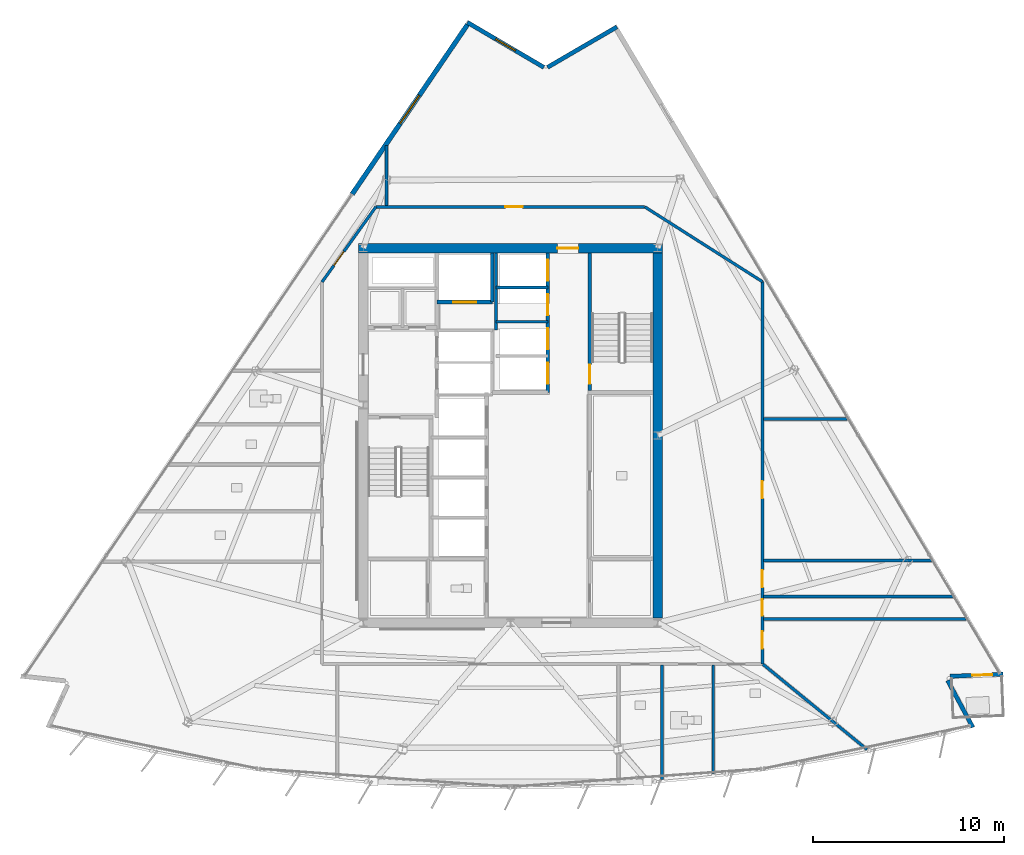
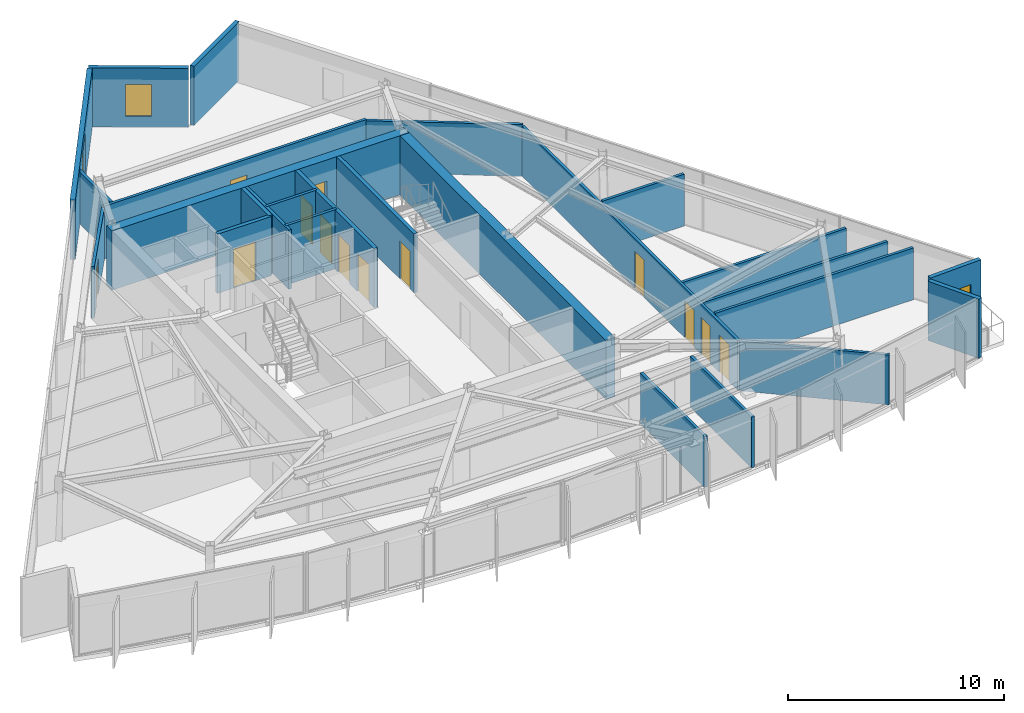
# One storey, part 9 of 15: 26 walls, 14 doors, 2 windows, 16 openings.
"""IFC4 building model written with IfcOpenShell, lengths in metres."""

from ifc_helpers import new_model, si_unit, direction, frame, frame_2d, origin, place, context, subcontext, project, spatial, rectangle, extrude, material, layer, layer_set, type_object, element, fill, save


model = new_model("IFC4")

# Units and contexts
model_context = context("Model", 3, precision=1e-05, world=origin(), true_north=direction((0.0, 1.0)))
body_context = subcontext(model_context, "Body", "Model", "MODEL_VIEW")
ifc_project = project(units=[si_unit("LENGTHUNIT", "METRE"), si_unit("AREAUNIT", "SQUARE_METRE"), si_unit("VOLUMEUNIT", "CUBIC_METRE"), si_unit("PLANEANGLEUNIT", "RADIAN"), si_unit("MASSUNIT", "GRAM", prefix="KILO")], contexts=[model_context])

# Site, building, storey
site_placement = place(None, origin())
site = spatial("IfcSite", under=ifc_project, at=site_placement, CompositionType="ELEMENT")
building_placement = place(site_placement, origin())
building = spatial("IfcBuilding", under=site, at=building_placement, Name="Savorim Split Tower", CompositionType="ELEMENT")
storey_placement = place(building_placement, frame((0.0, 0.0, 201.89990234375)))
storey = spatial("IfcBuildingStorey", under=building, at=storey_placement, Name="L53", CompositionType="ELEMENT", Elevation=201.89990234375)

# Wall, opening, door
ifc_material_1 = material(Name="Concrete C60/75", Category="concrete")
ifc_layer_1 = layer(ifc_material_1, 0.5)
ifc_layer_set_1 = layer_set([ifc_layer_1], Name="WAL-COR-SH500")
wall_type_1 = type_object("IfcWallType", Name="WAL-COR-SH500", PredefinedType="SHEAR", material=ifc_layer_set_1)
wall_1_placement = place(storey_placement, frame((7.949951171875, 10.199951171875, 0.0), z_axis=(0.0, 0.0, 1.0), x_axis=(-1.0, 0.0, 0.0)))
wall_1 = element("IfcWall", 1, at=wall_1_placement, inside=storey, type_object=wall_type_1, Name="L53 Offset Core North Shear Wall", PredefinedType="SHEAR", context=body_context, shape_type="SweptSolid", body=[
    extrude(rectangle(XDim=15.89990234375, YDim=0.5, at=frame_2d((7.949951171875, 0.0))), origin(), (0.0, 0.0, 1.0), 3.35009765625),
])
opening_1_placement = place(wall_1_placement, frame((4.39990234375, 0.0, 0.0)))
opening_1 = element("IfcOpeningElement", 2, at=opening_1_placement, cuts=wall_1, Name="Opening DI-03", PredefinedType="OPENING", context=body_context, shape_type="SweptSolid", body=[
    extrude(rectangle(XDim=1.10009765625, YDim=2.14990234375, at=frame_2d((0.550048828125, 1.074951171875))), frame((0.0, 0.260009765625, 0.0), z_axis=(0.0, -1.0, 0.0), x_axis=(1.0, 0.0, 0.0)), (0.0, 0.0, 1.0), 0.52001953125),
])
ifc_material_2 = material(Name="Timber Fire Door Leaf", Category="wood")
door_type_1 = type_object("IfcDoorType", Name="DOR-FIR-1100", OperationType="NOTDEFINED", PredefinedType="DOOR", material=ifc_material_2)
door_1_placement = place(opening_1_placement, origin())
door_1 = element("IfcDoor", 3, at=door_1_placement, inside=storey, type_object=door_type_1, Name="DOR-L53-COR-NLOB - L53 North Corridor Lobby Fire Door", OperationType="SINGLE_SWING_RIGHT", OverallHeight=2.14990234375, OverallWidth=1.10009765625, PredefinedType="DOOR", context=body_context, shape_type="SweptSolid", body=[
    extrude(rectangle(XDim=1.10009765625, YDim=2.14990234375, at=frame_2d((0.550048828125, 1.074951171875))), frame((0.0, 0.02490234375, 0.0), z_axis=(0.0, -1.0, 0.0), x_axis=(1.0, 0.0, 0.0)), (0.0, 0.0, 1.0), 0.050048828125),
])
fill(opening_1, door_1)

# Walls
wall_2_placement = place(storey_placement, frame((7.699951171875, 9.949951171875, 0.0), z_axis=(0.0, 0.0, 1.0), x_axis=(0.0, -1.0, 0.0)))
element("IfcWall", 4, at=wall_2_placement, inside=storey, type_object=wall_type_1, Name="L53 Offset Core East Shear Wall", PredefinedType="SHEAR", context=body_context, shape_type="SweptSolid", body=[
    extrude(rectangle(XDim=19.099853515625, YDim=0.5, at=frame_2d((9.5498046875, 0.0))), origin(), (0.0, 0.0, 1.0), 3.35009765625),
])
ifc_material_3 = material(Name="Precast concrete C40/50", Category="concrete")
ifc_layer_2 = layer(ifc_material_3, 0.219970703125)
ifc_layer_set_2 = layer_set([ifc_layer_2], Name="WAL-EXT-CRN220")
wall_type_2 = type_object("IfcWallType", Name="WAL-EXT-CRN220", PredefinedType="SOLIDWALL", material=ifc_layer_set_2)
wall_3_placement = place(storey_placement, frame((22.86767578125, -12.414794921875, 0.0), z_axis=(0.0, 0.0, 1.0), x_axis=(0.472845900162, -0.881145138272, 0.0)))
element("IfcWall", 5, at=wall_3_placement, inside=storey, type_object=wall_type_2, Name="L53 Notched Corner Facade Wall SE1", PredefinedType="SOLIDWALL", context=body_context, shape_type="SweptSolid", body=[
    extrude(rectangle(XDim=2.78759765625, YDim=0.219970703125, at=frame_2d((1.393798828125, 0.0))), origin(), (0.0, 0.0, 1.0), 3.35009765625),
])

# Wall, opening, door
wall_4_placement = place(storey_placement, frame((25.77197265625, -12.082763671875, 0.0), z_axis=(0.0, 0.0, 1.0), x_axis=(-0.999095761456, -0.042516578425, 0.0)))
wall_4 = element("IfcWall", 6, at=wall_4_placement, inside=storey, type_object=wall_type_2, Name="L53 Notched Corner Facade Wall SE", PredefinedType="SOLIDWALL", context=body_context, shape_type="SweptSolid", body=[
    extrude(rectangle(XDim=2.784912109375, YDim=0.219970703125, at=frame_2d((1.392578125, 0.0))), origin(), (0.0, 0.0, 1.0), 3.35009765625),
])
opening_2_placement = place(wall_4_placement, frame((0.5673828125, 0.0, 0.0)))
opening_2 = element("IfcOpeningElement", 7, at=opening_2_placement, cuts=wall_4, Name="Opening DB-01", PredefinedType="OPENING", context=body_context, shape_type="SweptSolid", body=[
    extrude(rectangle(XDim=1.050048828125, YDim=2.14990234375, at=frame_2d((0.52490234375, 1.074951171875))), frame((0.0, 0.119873046875, 0.0), z_axis=(0.0, -1.0, 0.0), x_axis=(1.0, 0.0, 0.0)), (0.0, 0.0, 1.0), 0.239990234375),
])
ifc_material_4 = material(Name="Charcoal Anodised Aluminium", Category="aluminium")
door_type_2 = type_object("IfcDoorType", Name="DOR-BAL-1050", OperationType="NOTDEFINED", PredefinedType="DOOR", material=ifc_material_4)
door_2_placement = place(opening_2_placement, origin())
door_2 = element("IfcDoor", 8, at=door_2_placement, inside=storey, type_object=door_type_2, Name="DOR-L53-TBAL-SE - L53 Planted Tree Balcony Door SE", OperationType="SINGLE_SWING_RIGHT", OverallHeight=2.14990234375, OverallWidth=1.050048828125, PredefinedType="DOOR", context=body_context, shape_type="SweptSolid", body=[
    extrude(rectangle(XDim=1.050048828125, YDim=2.14990234375, at=frame_2d((0.52490234375, 1.074951171875))), frame((0.0, 0.02490234375, 0.0), z_axis=(0.0, -1.0, 0.0), x_axis=(1.0, 0.0, 0.0)), (0.0, 0.0, 1.0), 0.050048828125),
])
fill(opening_2, door_2)

# Wall
wall_5_placement = place(storey_placement, frame((1.935302734375, 19.656494140625, 0.0), z_axis=(0.0, 0.0, 1.0), x_axis=(0.863987356641, 0.503513502862, 0.0)))
element("IfcWall", 9, at=wall_5_placement, inside=storey, type_object=wall_type_2, Name="L53 Notched Corner Facade Wall NE1", PredefinedType="SOLIDWALL", context=body_context, shape_type="SweptSolid", body=[
    extrude(rectangle(XDim=4.203857421875, YDim=0.219970703125, at=frame_2d((2.10205078125, 0.0))), origin(), (0.0, 0.0, 1.0), 3.35009765625),
])

# Wall, opening, window
wall_6_placement = place(storey_placement, frame((-2.25927734375, 22.01025390625, 0.0), z_axis=(0.0, 0.0, 1.0), x_axis=(0.862123324624, -0.506698503193, 0.0)))
wall_6 = element("IfcWall", 10, at=wall_6_placement, inside=storey, type_object=wall_type_2, Name="L53 Notched Corner Facade Wall N", PredefinedType="SOLIDWALL", context=body_context, shape_type="SweptSolid", body=[
    extrude(rectangle(XDim=4.644775390625, YDim=0.219970703125, at=frame_2d((2.322265625, 0.0))), origin(), (0.0, 0.0, 1.0), 3.35009765625),
])
opening_3_placement = place(wall_6_placement, frame((1.722412109375, 0.0, 0.6201171875)))
opening_3 = element("IfcOpeningElement", 11, at=opening_3_placement, cuts=wall_6, Name="Opening WN-08", PredefinedType="OPENING", context=body_context, shape_type="SweptSolid", body=[
    extrude(rectangle(XDim=1.199951171875, YDim=1.800048828125, at=frame_2d((0.60009765625, 0.89990234375))), frame((0.0, 0.119873046875, 0.0), z_axis=(0.0, -1.0, 0.0), x_axis=(1.0, 0.0, 0.0)), (0.0, 0.0, 1.0), 0.239990234375),
])
ifc_material_5 = material(Name="Low-E Operable Double Glazing", Category="glass")
window_type_1 = type_object("IfcWindowType", Name="WIN-TWR-1200x1800", PartitioningType="SINGLE_PANEL", PredefinedType="WINDOW", material=ifc_material_5)
window_1_placement = place(opening_3_placement, origin())
window_1 = element("IfcWindow", 12, at=window_1_placement, inside=storey, type_object=window_type_1, Name="L53 Operable Corner Window N", OverallHeight=1.800048828125, OverallWidth=1.199951171875, PartitioningType="SINGLE_PANEL", PredefinedType="WINDOW", context=body_context, shape_type="SweptSolid", body=[
    extrude(rectangle(XDim=1.199951171875, YDim=1.800048828125, at=frame_2d((0.60009765625, 0.89990234375))), frame((0.0, 0.030029296875, 0.0), z_axis=(0.0, -1.0, 0.0), x_axis=(1.0, 0.0, 0.0)), (0.0, 0.0, 1.0), 0.06005859375),
])
fill(opening_3, window_1)

ifc_layer_3 = layer(ifc_material_3, 0.25)
ifc_layer_set_3 = layer_set([ifc_layer_3], Name="WAL-EXT-SPN250")
wall_type_3 = type_object("IfcWallType", Name="WAL-EXT-SPN250", PredefinedType="SOLIDWALL", material=ifc_layer_set_3)
wall_7_placement = place(storey_placement, frame((-8.28369140625, 13.02587890625, 0.0), z_axis=(0.0, 0.0, 1.0), x_axis=(0.562468945091, 0.826818411629, 0.0)))
wall_7 = element("IfcWall", 13, at=wall_7_placement, inside=storey, type_object=wall_type_3, Name="L53 West Operable Window Pier", PredefinedType="SOLIDWALL", context=body_context, shape_type="SweptSolid", body=[
    extrude(rectangle(XDim=10.714111328125, YDim=0.25, at=frame_2d((5.35693359375, 0.0))), origin(), (0.0, 0.0, 1.0), 3.35009765625),
])
opening_4_placement = place(wall_7_placement, frame((4.45703125, 0.0, 0.6201171875)))
opening_4 = element("IfcOpeningElement", 14, at=opening_4_placement, cuts=wall_7, Name="Opening WN-04", PredefinedType="OPENING", context=body_context, shape_type="SweptSolid", body=[
    extrude(rectangle(XDim=1.800048828125, YDim=2.10009765625, at=frame_2d((0.89990234375, 1.050048828125))), frame((0.0, 0.135009765625, 0.0), z_axis=(0.0, -1.0, 0.0), x_axis=(1.0, 0.0, 0.0)), (0.0, 0.0, 1.0), 0.27001953125),
])
window_type_2 = type_object("IfcWindowType", Name="WIN-TWR-1800x2100", PartitioningType="DOUBLE_PANEL_VERTICAL", PredefinedType="WINDOW", material=ifc_material_5)
window_2_placement = place(opening_4_placement, origin())
window_2 = element("IfcWindow", 15, at=window_2_placement, inside=storey, type_object=window_type_2, Name="L53 West Operable Ventilation Window", OverallHeight=2.10009765625, OverallWidth=1.800048828125, PartitioningType="SINGLE_PANEL", PredefinedType="WINDOW", context=body_context, shape_type="SweptSolid", body=[
    extrude(rectangle(XDim=1.800048828125, YDim=2.10009765625, at=frame_2d((0.89990234375, 1.050048828125))), frame((0.0, 0.030029296875, 0.0), z_axis=(0.0, -1.0, 0.0), x_axis=(1.0, 0.0, 0.0)), (0.0, 0.0, 1.0), 0.06005859375),
])
fill(opening_4, window_2)

# Wall, opening, door
ifc_material_6 = material(Name="Concrete C50/60", Category="concrete")
ifc_layer_4 = layer(ifc_material_6, 0.199951171875)
ifc_layer_set_4 = layer_set([ifc_layer_4], Name="WAL-INT-RC200")
wall_type_4 = type_object("IfcWallType", Name="WAL-INT-RC200", PredefinedType="SOLIDWALL", material=ifc_layer_set_4)
wall_8_placement = place(storey_placement, frame((4.14990234375, 2.75, 0.0), z_axis=(0.0, 0.0, 1.0), x_axis=(0.0, 1.0, 0.0)))
wall_8 = element("IfcWall", 16, at=wall_8_placement, inside=storey, type_object=wall_type_4, Name="L53 Structural Shaft Wall W-L53-CR07", PredefinedType="SOLIDWALL", context=body_context, shape_type="SweptSolid", body=[
    extrude(rectangle(XDim=7.199951171875, YDim=0.199951171875, at=frame_2d((3.60009765625, 0.0))), origin(), (0.0, 0.0, 1.0), 3.35009765625),
])
opening_5_placement = place(wall_8_placement, frame((0.35009765625, 0.0, 0.0)))
opening_5 = element("IfcOpeningElement", 17, at=opening_5_placement, cuts=wall_8, Name="Opening DI-04", PredefinedType="OPENING", context=body_context, shape_type="SweptSolid", body=[
    extrude(rectangle(XDim=1.0, YDim=2.14990234375, at=frame_2d((0.5, 1.074951171875))), frame((0.0, 0.10986328125, 0.0), z_axis=(0.0, -1.0, 0.0), x_axis=(1.0, 0.0, 0.0)), (0.0, 0.0, 1.0), 0.219970703125),
])
door_type_3 = type_object("IfcDoorType", Name="DOR-FIR-1000", OperationType="NOTDEFINED", PredefinedType="DOOR", material=ifc_material_2)
door_3_placement = place(opening_5_placement, origin())
door_3 = element("IfcDoor", 18, at=door_3_placement, inside=storey, type_object=door_type_3, Name="DR-L53-ST2 - L53 Stair ST-2 Enclosure Door", OperationType="SINGLE_SWING_RIGHT", OverallHeight=2.14990234375, OverallWidth=1.0, PredefinedType="DOOR", context=body_context, shape_type="SweptSolid", body=[
    extrude(rectangle(XDim=1.0, YDim=2.14990234375, at=frame_2d((0.5, 1.074951171875))), frame((0.0, 0.02490234375, 0.0), z_axis=(0.0, -1.0, 0.0), x_axis=(1.0, 0.0, 0.0)), (0.0, 0.0, 1.0), 0.050048828125),
])
fill(opening_5, door_3)

wall_9_placement = place(storey_placement, frame((-3.85009765625, 7.3798828125, 0.0), z_axis=(0.0, 0.0, 1.0), x_axis=(1.0, 0.0, 0.0)))
wall_9 = element("IfcWall", 19, at=wall_9_placement, inside=storey, type_object=wall_type_4, Name="L53 Partition W-L53-SVLS", PredefinedType="SOLIDWALL", context=body_context, shape_type="SweptSolid", body=[
    extrude(rectangle(XDim=2.900146484375, YDim=0.199951171875, at=frame_2d((1.4501953125, 0.0))), origin(), (0.0, 0.0, 1.0), 3.35009765625),
])
opening_6_placement = place(wall_9_placement, frame((0.85009765625, 0.0, 0.0)))
opening_6 = element("IfcOpeningElement", 20, at=opening_6_placement, cuts=wall_9, Name="Opening LD-SV", PredefinedType="OPENING", context=body_context, shape_type="SweptSolid", body=[
    extrude(rectangle(XDim=1.199951171875, YDim=2.199951171875, at=frame_2d((0.60009765625, 1.10009765625))), frame((0.0, 0.10986328125, 0.0), z_axis=(0.0, -1.0, 0.0), x_axis=(1.0, 0.0, 0.0)), (0.0, 0.0, 1.0), 0.219970703125),
])
door_type_4 = type_object("IfcDoorType", Name="DOR-SLD-SV1200", OperationType="NOTDEFINED", PredefinedType="DOOR", material=ifc_material_4)
door_4_placement = place(opening_6_placement, origin())
door_4 = element("IfcDoor", 21, at=door_4_placement, inside=storey, type_object=door_type_4, Name="DR-L53-LD-SVL1 - L53 Service Lift SVL-1 Sliding Landing Door", OperationType="DOUBLE_DOOR_SLIDING", OverallHeight=2.199951171875, OverallWidth=1.199951171875, PredefinedType="DOOR", context=body_context, shape_type="SweptSolid", body=[
    extrude(rectangle(XDim=1.199951171875, YDim=2.199951171875, at=frame_2d((0.60009765625, 1.10009765625))), frame((0.0, 0.02490234375, 0.0), z_axis=(0.0, -1.0, 0.0), x_axis=(1.0, 0.0, 0.0)), (0.0, 0.0, 1.0), 0.050048828125),
])
fill(opening_6, door_4)

# Wall
wall_10_placement = place(storey_placement, frame((-0.949951171875, 7.3798828125, 0.0), z_axis=(0.0, 0.0, 1.0), x_axis=(0.0, 1.0, 0.0)))
element("IfcWall", 22, at=wall_10_placement, inside=storey, type_object=wall_type_4, Name="L53 Partition W-L53-SVLE", PredefinedType="SOLIDWALL", context=body_context, shape_type="SweptSolid", body=[
    extrude(rectangle(XDim=2.565185546875, YDim=0.199951171875, at=frame_2d((1.28271484375, 0.0))), origin(), (0.0, 0.0, 1.0), 3.35009765625),
])

# Wall, openings, doors
wall_11_placement = place(storey_placement, frame((1.949951171875, 2.64990234375, 0.0), z_axis=(0.0, 0.0, 1.0), x_axis=(0.0, 1.0, 0.0)))
wall_11 = element("IfcWall", 23, at=wall_11_placement, inside=storey, type_object=wall_type_4, Name="L53 Partition W-L53-B3FRONT", PredefinedType="SOLIDWALL", context=body_context, shape_type="SweptSolid", body=[
    extrude(rectangle(XDim=7.295166015625, YDim=0.199951171875, at=frame_2d((3.6474609375, 0.0))), origin(), (0.0, 0.0, 1.0), 3.35009765625),
])
opening_7_placement = place(wall_11_placement, frame((0.449951171875, 0.0, 0.0)))
opening_7 = element("IfcOpeningElement", 24, at=opening_7_placement, cuts=wall_11, Name="Opening LD-03", PredefinedType="OPENING", context=body_context, shape_type="SweptSolid", body=[
    extrude(rectangle(XDim=1.10009765625, YDim=2.14990234375, at=frame_2d((0.550048828125, 1.074951171875))), frame((0.0, 0.10986328125, 0.0), z_axis=(0.0, -1.0, 0.0), x_axis=(1.0, 0.0, 0.0)), (0.0, 0.0, 1.0), 0.219970703125),
])
opening_8_placement = place(wall_11_placement, frame((2.25, 0.0, 0.0)))
opening_8 = element("IfcOpeningElement", 25, at=opening_8_placement, cuts=wall_11, Name="Opening LD-03", PredefinedType="OPENING", context=body_context, shape_type="SweptSolid", body=[
    extrude(rectangle(XDim=1.10009765625, YDim=2.14990234375, at=frame_2d((0.550048828125, 1.074951171875))), frame((0.0, 0.10986328125, 0.0), z_axis=(0.0, -1.0, 0.0), x_axis=(1.0, 0.0, 0.0)), (0.0, 0.0, 1.0), 0.219970703125),
])
opening_9_placement = place(wall_11_placement, frame((4.050048828125, 0.0, 0.0)))
opening_9 = element("IfcOpeningElement", 26, at=opening_9_placement, cuts=wall_11, Name="Opening LD-03", PredefinedType="OPENING", context=body_context, shape_type="SweptSolid", body=[
    extrude(rectangle(XDim=1.10009765625, YDim=2.14990234375, at=frame_2d((0.550048828125, 1.074951171875))), frame((0.0, 0.10986328125, 0.0), z_axis=(0.0, -1.0, 0.0), x_axis=(1.0, 0.0, 0.0)), (0.0, 0.0, 1.0), 0.219970703125),
])
opening_10_placement = place(wall_11_placement, frame((5.85009765625, 0.0, 0.0)))
opening_10 = element("IfcOpeningElement", 27, at=opening_10_placement, cuts=wall_11, Name="Opening LD-03", PredefinedType="OPENING", context=body_context, shape_type="SweptSolid", body=[
    extrude(rectangle(XDim=1.10009765625, YDim=2.14990234375, at=frame_2d((0.550048828125, 1.074951171875))), frame((0.0, 0.10986328125, 0.0), z_axis=(0.0, -1.0, 0.0), x_axis=(1.0, 0.0, 0.0)), (0.0, 0.0, 1.0), 0.219970703125),
])
door_type_5 = type_object("IfcDoorType", Name="DOR-SLD-LDH1100", OperationType="NOTDEFINED", PredefinedType="DOOR", material=ifc_material_4)
door_5_placement = place(opening_7_placement, origin())
door_5 = element("IfcDoor", 28, at=door_5_placement, inside=storey, type_object=door_type_5, Name="DR-L53-LD-PLH1 - L53 Lift PL-H1 Sliding Landing Door", OperationType="DOUBLE_DOOR_SLIDING", OverallHeight=2.14990234375, OverallWidth=1.10009765625, PredefinedType="DOOR", context=body_context, shape_type="SweptSolid", body=[
    extrude(rectangle(XDim=1.10009765625, YDim=2.14990234375, at=frame_2d((0.550048828125, 1.074951171875))), frame((0.0, 0.02490234375, 0.0), z_axis=(0.0, -1.0, 0.0), x_axis=(1.0, 0.0, 0.0)), (0.0, 0.0, 1.0), 0.050048828125),
])
fill(opening_7, door_5)
door_6_placement = place(opening_8_placement, origin())
door_6 = element("IfcDoor", 29, at=door_6_placement, inside=storey, type_object=door_type_5, Name="DR-L53-LD-PLH2 - L53 Lift PL-H2 Sliding Landing Door", OperationType="DOUBLE_DOOR_SLIDING", OverallHeight=2.14990234375, OverallWidth=1.10009765625, PredefinedType="DOOR", context=body_context, shape_type="SweptSolid", body=[
    extrude(rectangle(XDim=1.10009765625, YDim=2.14990234375, at=frame_2d((0.550048828125, 1.074951171875))), frame((0.0, 0.02490234375, 0.0), z_axis=(0.0, -1.0, 0.0), x_axis=(1.0, 0.0, 0.0)), (0.0, 0.0, 1.0), 0.050048828125),
])
fill(opening_8, door_6)
door_7_placement = place(opening_9_placement, origin())
door_7 = element("IfcDoor", 30, at=door_7_placement, inside=storey, type_object=door_type_5, Name="DR-L53-LD-PLH3 - L53 Lift PL-H3 Sliding Landing Door", OperationType="DOUBLE_DOOR_SLIDING", OverallHeight=2.14990234375, OverallWidth=1.10009765625, PredefinedType="DOOR", context=body_context, shape_type="SweptSolid", body=[
    extrude(rectangle(XDim=1.10009765625, YDim=2.14990234375, at=frame_2d((0.550048828125, 1.074951171875))), frame((0.0, 0.02490234375, 0.0), z_axis=(0.0, -1.0, 0.0), x_axis=(1.0, 0.0, 0.0)), (0.0, 0.0, 1.0), 0.050048828125),
])
fill(opening_9, door_7)
door_8_placement = place(opening_10_placement, origin())
door_8 = element("IfcDoor", 31, at=door_8_placement, inside=storey, type_object=door_type_5, Name="DR-L53-LD-PLH4 - L53 Lift PL-H4 Sliding Landing Door", OperationType="DOUBLE_DOOR_SLIDING", OverallHeight=2.14990234375, OverallWidth=1.10009765625, PredefinedType="DOOR", context=body_context, shape_type="SweptSolid", body=[
    extrude(rectangle(XDim=1.10009765625, YDim=2.14990234375, at=frame_2d((0.550048828125, 1.074951171875))), frame((0.0, 0.02490234375, 0.0), z_axis=(0.0, -1.0, 0.0), x_axis=(1.0, 0.0, 0.0)), (0.0, 0.0, 1.0), 0.050048828125),
])
fill(opening_10, door_8)

# Walls
ifc_material_7 = material(Name="Acoustic Gypsum Partition Board")
ifc_layer_5 = layer(ifc_material_7, 0.14990234375)
ifc_layer_set_5 = layer_set([ifc_layer_5], Name="WAL-PAR-150")
wall_type_5 = type_object("IfcWallType", Name="WAL-PAR-150", PredefinedType="PARTITIONING", material=ifc_layer_set_5)
wall_12_placement = place(storey_placement, frame((-0.75, 5.919921875, 0.0), z_axis=(0.0, 0.0, 1.0), x_axis=(0.0, 1.0, 0.0)))
element("IfcWall", 32, at=wall_12_placement, inside=storey, type_object=wall_type_5, Name="L53 Partition W-L53-B3WEST", PredefinedType="PARTITIONING", context=body_context, shape_type="SweptSolid", body=[
    extrude(rectangle(XDim=4.025146484375, YDim=0.14990234375, at=frame_2d((2.0126953125, 0.0))), origin(), (0.0, 0.0, 1.0), 3.35009765625),
])
for number, where, z_axis, x_axis, name in (
    (33, (-0.75, 6.35009765625, 0.0), (0.0, 0.0, 1.0), (1.0, 0.0, 0.0), "L53 Partition W-L53-B3DIV2"),
    (34, (-0.75, 8.14990234375, 0.0), (0.0, 0.0, 1.0), (1.0, 0.0, 0.0), "L53 Partition W-L53-B3DIV3"),
):
    element("IfcWall", number, at=place(storey_placement, frame(where, z_axis=z_axis, x_axis=x_axis)), inside=storey, type_object=wall_type_5, Name=name, PredefinedType="PARTITIONING", context=body_context, shape_type="SweptSolid", body=[
        extrude(rectangle(XDim=2.699951171875, YDim=0.14990234375, at=frame_2d((1.35009765625, 0.0))), origin(), (0.0, 0.0, 1.0), 3.35009765625),
    ])

# Wall, opening, door
wall_13_placement = place(storey_placement, frame((-9.860107421875, 8.42578125, 0.0), z_axis=(0.0, 0.0, 1.0), x_axis=(0.582449511476, 0.812866881218, 0.0)))
wall_13 = element("IfcWall", 35, at=wall_13_placement, inside=storey, type_object=wall_type_5, Name="L53 Partition W-L53-COR-02", PredefinedType="PARTITIONING", context=body_context, shape_type="SweptSolid", body=[
    extrude(rectangle(XDim=4.840087890625, YDim=0.14990234375, at=frame_2d((2.419921875, 0.0))), origin(), (0.0, 0.0, 1.0), 2.93505859375),
])
opening_11_placement = place(wall_13_placement, frame((1.070068359375, 0.0, 0.0)))
opening_11 = element("IfcOpeningElement", 36, at=opening_11_placement, cuts=wall_13, Name="Opening DI-06", PredefinedType="OPENING", context=body_context, shape_type="SweptSolid", body=[
    extrude(rectangle(XDim=0.89990234375, YDim=2.10009765625, at=frame_2d((0.449951171875, 1.050048828125))), frame((0.0, 0.0849609375, 0.0), z_axis=(0.0, -1.0, 0.0), x_axis=(1.0, 0.0, 0.0)), (0.0, 0.0, 1.0), 0.169921875),
])
door_type_6 = type_object("IfcDoorType", Name="DOR-FIR-900", OperationType="NOTDEFINED", PredefinedType="DOOR", material=ifc_material_2)
door_9_placement = place(opening_11_placement, origin())
door_9 = element("IfcDoor", 37, at=door_9_placement, inside=storey, type_object=door_type_6, Name="DR-L53-RM14 - L53 Co-Living Bedroom Entry Door", OperationType="SINGLE_SWING_LEFT", OverallHeight=2.10009765625, OverallWidth=0.89990234375, PredefinedType="DOOR", context=body_context, shape_type="SweptSolid", body=[
    extrude(rectangle(XDim=0.89990234375, YDim=2.10009765625, at=frame_2d((0.449951171875, 1.050048828125))), frame((0.0, 0.02490234375, 0.0), z_axis=(0.0, -1.0, 0.0), x_axis=(1.0, 0.0, 0.0)), (0.0, 0.0, 1.0), 0.050048828125),
])
fill(opening_11, door_9)

wall_14_placement = place(storey_placement, frame((-7.041015625, 12.360107421875, 0.0), z_axis=(0.0, 0.0, 1.0), x_axis=(1.0, 0.0, 0.0)))
wall_14 = element("IfcWall", 38, at=wall_14_placement, inside=storey, type_object=wall_type_5, Name="L53 Partition W-L53-COR-03", PredefinedType="PARTITIONING", context=body_context, shape_type="SweptSolid", body=[
    extrude(rectangle(XDim=14.064208984375, YDim=0.14990234375, at=frame_2d((7.0322265625, 0.0))), origin(), (0.0, 0.0, 1.0), 3.005126953125),
])
opening_12_placement = place(wall_14_placement, frame((6.77001953125, 0.0, 0.0)))
opening_12 = element("IfcOpeningElement", 39, at=opening_12_placement, cuts=wall_14, Name="Opening DI-06", PredefinedType="OPENING", context=body_context, shape_type="SweptSolid", body=[
    extrude(rectangle(XDim=0.89990234375, YDim=2.10009765625, at=frame_2d((0.449951171875, 1.050048828125))), frame((0.0, 0.0849609375, 0.0), z_axis=(0.0, -1.0, 0.0), x_axis=(1.0, 0.0, 0.0)), (0.0, 0.0, 1.0), 0.169921875),
])
door_10_placement = place(opening_12_placement, origin())
door_10 = element("IfcDoor", 40, at=door_10_placement, inside=storey, type_object=door_type_6, Name="DR-L53-RM13 - L53 Co-Working Commons Entry Door", OperationType="SINGLE_SWING_RIGHT", OverallHeight=2.10009765625, OverallWidth=0.89990234375, PredefinedType="DOOR", context=body_context, shape_type="SweptSolid", body=[
    extrude(rectangle(XDim=0.89990234375, YDim=2.10009765625, at=frame_2d((0.449951171875, 1.050048828125))), frame((0.0, 0.02490234375, 0.0), z_axis=(0.0, -1.0, 0.0), x_axis=(1.0, 0.0, 0.0)), (0.0, 0.0, 1.0), 0.050048828125),
])
fill(opening_12, door_10)

# Wall
wall_15_placement = place(storey_placement, frame((7.023193359375, 12.360107421875, 0.0), z_axis=(0.0, 0.0, 1.0), x_axis=(0.84376480085, -0.536713108511, 0.0)))
element("IfcWall", 41, at=wall_15_placement, inside=storey, type_object=wall_type_5, Name="L53 Partition W-L53-COR-04", PredefinedType="PARTITIONING", context=body_context, shape_type="SweptSolid", body=[
    extrude(rectangle(XDim=7.296630859375, YDim=0.14990234375, at=frame_2d((3.6484375, 0.0))), origin(), (0.0, 0.0, 1.0), 2.93505859375),
])

# Wall, openings, doors
wall_16_placement = place(storey_placement, frame((13.179931640625, 8.44384765625, 0.0), z_axis=(0.0, 0.0, 1.0), x_axis=(0.0, -1.0, 0.0)))
wall_16 = element("IfcWall", 42, at=wall_16_placement, inside=storey, type_object=wall_type_5, Name="L53 Partition W-L53-COR-05", PredefinedType="PARTITIONING", context=body_context, shape_type="SweptSolid", body=[
    extrude(rectangle(XDim=20.00390625, YDim=0.14990234375, at=frame_2d((10.001953125, 0.0))), origin(), (0.0, 0.0, 1.0), 2.8251953125),
])
opening_13_placement = place(wall_16_placement, frame((18.290283203125, 0.0, 0.0)))
opening_13 = element("IfcOpeningElement", 43, at=opening_13_placement, cuts=wall_16, Name="Opening DI-06", PredefinedType="OPENING", context=body_context, shape_type="SweptSolid", body=[
    extrude(rectangle(XDim=0.89990234375, YDim=2.10009765625, at=frame_2d((0.449951171875, 1.050048828125))), frame((0.0, 0.0849609375, 0.0), z_axis=(0.0, -1.0, 0.0), x_axis=(1.0, 0.0, 0.0)), (0.0, 0.0, 1.0), 0.169921875),
])
opening_14_placement = place(wall_16_placement, frame((16.615478515625, 0.0, 0.0)))
opening_14 = element("IfcOpeningElement", 44, at=opening_14_placement, cuts=wall_16, Name="Opening DI-13", PredefinedType="OPENING", context=body_context, shape_type="SweptSolid", body=[
    extrude(rectangle(XDim=0.85009765625, YDim=2.10009765625, at=frame_2d((0.425048828125, 1.050048828125))), frame((0.0, 0.0849609375, 0.0), z_axis=(0.0, -1.0, 0.0), x_axis=(1.0, 0.0, 0.0)), (0.0, 0.0, 1.0), 0.169921875),
])
opening_15_placement = place(wall_16_placement, frame((15.084228515625, 0.0, 0.0)))
opening_15 = element("IfcOpeningElement", 45, at=opening_15_placement, cuts=wall_16, Name="Opening DI-06", PredefinedType="OPENING", context=body_context, shape_type="SweptSolid", body=[
    extrude(rectangle(XDim=0.89990234375, YDim=2.10009765625, at=frame_2d((0.449951171875, 1.050048828125))), frame((0.0, 0.0849609375, 0.0), z_axis=(0.0, -1.0, 0.0), x_axis=(1.0, 0.0, 0.0)), (0.0, 0.0, 1.0), 0.169921875),
])
opening_16_placement = place(wall_16_placement, frame((10.437255859375, 0.0, 0.0)))
opening_16 = element("IfcOpeningElement", 46, at=opening_16_placement, cuts=wall_16, Name="Opening DI-06", PredefinedType="OPENING", context=body_context, shape_type="SweptSolid", body=[
    extrude(rectangle(XDim=0.89990234375, YDim=2.10009765625, at=frame_2d((0.449951171875, 1.050048828125))), frame((0.0, 0.0849609375, 0.0), z_axis=(0.0, -1.0, 0.0), x_axis=(1.0, 0.0, 0.0)), (0.0, 0.0, 1.0), 0.169921875),
])
door_type_7 = type_object("IfcDoorType", Name="DOR-FIR-850", OperationType="NOTDEFINED", PredefinedType="DOOR", material=ifc_material_2)
door_11_placement = place(opening_14_placement, origin())
door_11 = element("IfcDoor", 47, at=door_11_placement, inside=storey, type_object=door_type_7, Name="DR-L53-RM10 - L53 Co-Living Bedroom Entry Door", OperationType="SINGLE_SWING_LEFT", OverallHeight=2.10009765625, OverallWidth=0.85009765625, PredefinedType="DOOR", context=body_context, shape_type="SweptSolid", body=[
    extrude(rectangle(XDim=0.85009765625, YDim=2.10009765625, at=frame_2d((0.425048828125, 1.050048828125))), frame((0.0, 0.02490234375, 0.0), z_axis=(0.0, -1.0, 0.0), x_axis=(1.0, 0.0, 0.0)), (0.0, 0.0, 1.0), 0.050048828125),
])
fill(opening_14, door_11)
door_12_placement = place(opening_13_placement, origin())
door_12 = element("IfcDoor", 48, at=door_12_placement, inside=storey, type_object=door_type_6, Name="DR-L53-RM09 - L53 Co-Working Commons Entry Door", OperationType="SINGLE_SWING_RIGHT", OverallHeight=2.10009765625, OverallWidth=0.89990234375, PredefinedType="DOOR", context=body_context, shape_type="SweptSolid", body=[
    extrude(rectangle(XDim=0.89990234375, YDim=2.10009765625, at=frame_2d((0.449951171875, 1.050048828125))), frame((0.0, 0.02490234375, 0.0), z_axis=(0.0, -1.0, 0.0), x_axis=(1.0, 0.0, 0.0)), (0.0, 0.0, 1.0), 0.050048828125),
])
fill(opening_13, door_12)
door_13_placement = place(opening_15_placement, origin())
door_13 = element("IfcDoor", 49, at=door_13_placement, inside=storey, type_object=door_type_6, Name="DR-L53-RM11 - L53 Quiet Study Room Entry Door", OperationType="SINGLE_SWING_RIGHT", OverallHeight=2.10009765625, OverallWidth=0.89990234375, PredefinedType="DOOR", context=body_context, shape_type="SweptSolid", body=[
    extrude(rectangle(XDim=0.89990234375, YDim=2.10009765625, at=frame_2d((0.449951171875, 1.050048828125))), frame((0.0, 0.02490234375, 0.0), z_axis=(0.0, -1.0, 0.0), x_axis=(1.0, 0.0, 0.0)), (0.0, 0.0, 1.0), 0.050048828125),
])
fill(opening_15, door_13)
door_14_placement = place(opening_16_placement, origin())
door_14 = element("IfcDoor", 50, at=door_14_placement, inside=storey, type_object=door_type_6, Name="DR-L53-RM12 - L53 Maker Workshop Entry Door", OperationType="SINGLE_SWING_LEFT", OverallHeight=2.10009765625, OverallWidth=0.89990234375, PredefinedType="DOOR", context=body_context, shape_type="SweptSolid", body=[
    extrude(rectangle(XDim=0.89990234375, YDim=2.10009765625, at=frame_2d((0.449951171875, 1.050048828125))), frame((0.0, 0.02490234375, 0.0), z_axis=(0.0, -1.0, 0.0), x_axis=(1.0, 0.0, 0.0)), (0.0, 0.0, 1.0), 0.050048828125),
])
fill(opening_16, door_14)

# Walls
wall_17_placement = place(storey_placement, frame((13.2080078125, -11.56884765625, 0.0), z_axis=(0.0, 0.0, 1.0), x_axis=(0.773432829445, -0.633878267758, 0.0)))
element("IfcWall", 51, at=wall_17_placement, inside=storey, type_object=wall_type_5, Name="L53 Partition W-L53-PRAD04", PredefinedType="PARTITIONING", context=body_context, shape_type="SweptSolid", body=[
    extrude(rectangle(XDim=7.034423828125, YDim=0.14990234375, at=frame_2d((3.51708984375, 0.0))), origin(), (0.0, 0.0, 1.0), 2.8251953125),
])
wall_18_placement = place(storey_placement, frame((13.239990234375, -6.14794921875, 0.0), z_axis=(0.0, 0.0, 1.0), x_axis=(1.0, 0.0, 0.0)))
element("IfcWall", 52, at=wall_18_placement, inside=storey, type_object=wall_type_5, Name="L53 Partition W-L53-PRAD05", PredefinedType="PARTITIONING", context=body_context, shape_type="SweptSolid", body=[
    extrude(rectangle(XDim=8.780029296875, YDim=0.14990234375, at=frame_2d((4.39013671875, 0.0))), origin(), (0.0, 0.0, 1.0), 2.8251953125),
])
wall_19_placement = place(storey_placement, frame((-6.487060546875, 12.419921875, 0.0), z_axis=(0.0, 0.0, 1.0), x_axis=(0.0, 1.0, 0.0)))
element("IfcWall", 53, at=wall_19_placement, inside=storey, type_object=wall_type_5, Name="L53 Partition W-L53-PRAD08", PredefinedType="PARTITIONING", context=body_context, shape_type="SweptSolid", body=[
    extrude(rectangle(XDim=3.158203125, YDim=0.14990234375, at=frame_2d((1.5791015625, 0.0))), origin(), (0.0, 0.0, 1.0), 2.93505859375),
])
wall_20_placement = place(storey_placement, frame((10.60888671875, -11.6201171875, 0.0), z_axis=(0.0, 0.0, 1.0), x_axis=(0.0, -1.0, 0.0)))
element("IfcWall", 54, at=wall_20_placement, inside=storey, type_object=wall_type_5, Name="L53 Partition W-L53-SUB02", PredefinedType="PARTITIONING", context=body_context, shape_type="SweptSolid", body=[
    extrude(rectangle(XDim=5.696044921875, YDim=0.14990234375, at=frame_2d((2.84814453125, 0.0))), origin(), (0.0, 0.0, 1.0), 2.875),
])
wall_21_placement = place(storey_placement, frame((13.239990234375, -9.210693359375, 0.0), z_axis=(0.0, 0.0, 1.0), x_axis=(1.0, 0.0, 0.0)))
element("IfcWall", 55, at=wall_21_placement, inside=storey, type_object=wall_type_5, Name="L53 Partition W-L53-SUB03", PredefinedType="PARTITIONING", context=body_context, shape_type="SweptSolid", body=[
    extrude(rectangle(XDim=10.601318359375, YDim=0.14990234375, at=frame_2d((5.30078125, 0.0))), origin(), (0.0, 0.0, 1.0), 2.93505859375),
])
wall_22_placement = place(storey_placement, frame((7.93408203125, -11.6201171875, 0.0), z_axis=(0.0, 0.0, 1.0), x_axis=(0.0, -1.0, 0.0)))
element("IfcWall", 56, at=wall_22_placement, inside=storey, type_object=wall_type_5, Name="L53 Partition W-L53-SUB06", PredefinedType="PARTITIONING", context=body_context, shape_type="SweptSolid", body=[
    extrude(rectangle(XDim=5.967529296875, YDim=0.14990234375, at=frame_2d((2.98388671875, 0.0))), origin(), (0.0, 0.0, 1.0), 2.875),
])
wall_23_placement = place(storey_placement, frame((13.239990234375, -8.03271484375, 0.0), z_axis=(0.0, 0.0, 1.0), x_axis=(1.0, 0.0, 0.0)))
element("IfcWall", 57, at=wall_23_placement, inside=storey, type_object=wall_type_5, Name="L53 Partition W-L53-SUB07", PredefinedType="PARTITIONING", context=body_context, shape_type="SweptSolid", body=[
    extrude(rectangle(XDim=9.900634765625, YDim=0.14990234375, at=frame_2d((4.9501953125, 0.0))), origin(), (0.0, 0.0, 1.0), 2.8251953125),
])
wall_24_placement = place(storey_placement, frame((13.239990234375, 1.26123046875, 0.0), z_axis=(0.0, 0.0, 1.0), x_axis=(1.0, 0.0, 0.0)))
element("IfcWall", 58, at=wall_24_placement, inside=storey, type_object=wall_type_5, Name="L53 Partition W-L53-SUB08", PredefinedType="PARTITIONING", context=body_context, shape_type="SweptSolid", body=[
    extrude(rectangle(XDim=4.374267578125, YDim=0.14990234375, at=frame_2d((2.18701171875, 0.0))), origin(), (0.0, 0.0, 1.0), 2.93505859375),
])

save(model, "model.ifc")
